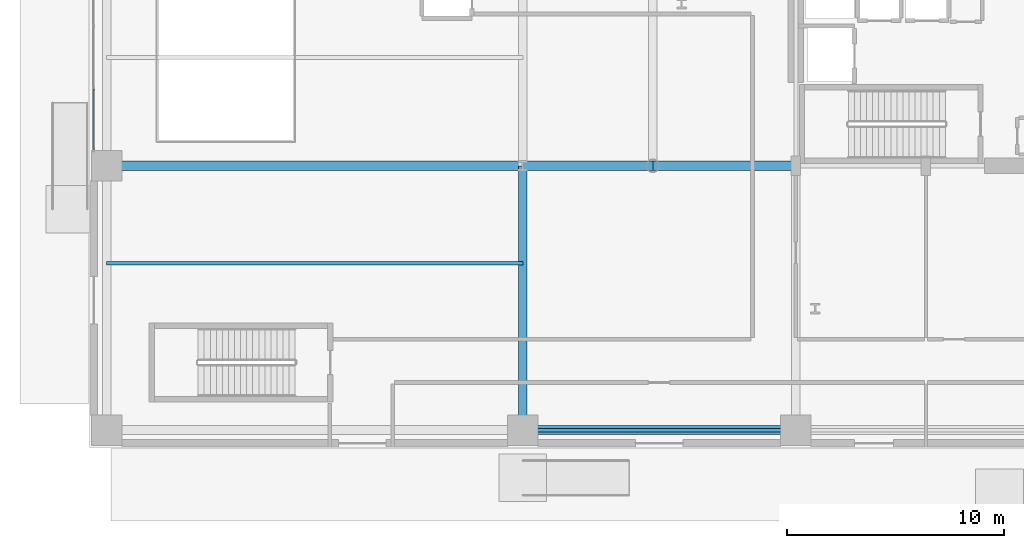
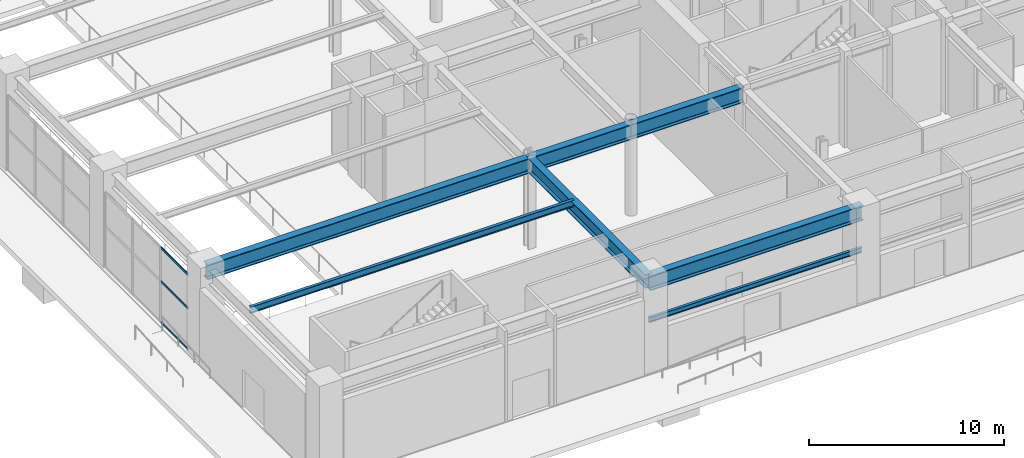
# One storey, part 6 of 31: 7 beams, 3 members, 1 element without a shape of its own.
"""IFC4 building model written with IfcOpenShell, lengths in metres."""

from ifc_helpers import new_model, si_unit, direction, frame, origin, origin_2d, place, context, subcontext, project, spatial, hollow_rectangle, i_section, extrude, material, layer, layer_set, material_profile, profile_set, type_object, element, aggregate, save


model = new_model("IFC4")

# Units and contexts
model_context = context("Model", 3, precision=1e-05, world=origin(), true_north=direction((0.0, 1.0)))
body_context = subcontext(model_context, "Body", "Model", "MODEL_VIEW")
ifc_project = project(units=[si_unit("LENGTHUNIT", "METRE"), si_unit("AREAUNIT", "SQUARE_METRE"), si_unit("VOLUMEUNIT", "CUBIC_METRE"), si_unit("PLANEANGLEUNIT", "RADIAN"), si_unit("MASSUNIT", "GRAM", prefix="KILO")], contexts=[model_context])

# Site, building, storey
site_placement = place(None, origin())
site = spatial("IfcSite", under=ifc_project, at=site_placement, CompositionType="ELEMENT")
building_placement = place(site_placement, origin())
building = spatial("IfcBuilding", under=site, at=building_placement, Name="Soratama Intermodal Tower", CompositionType="ELEMENT")
storey_placement = place(building_placement, origin())
storey = spatial("IfcBuildingStorey", under=building, at=storey_placement, Name="L00", CompositionType="ELEMENT", Elevation=0.0)

# Beams
ifc_material_1 = material(Name="Structural steel ASTM A992 Grade 50", Category="steel")
ifc_material_profile_1 = material_profile(ifc_material_1, i_section(OverallWidth=0.177978515625, OverallDepth=0.406982421875, WebThickness=0.0078125, FlangeThickness=0.0126953125, FilletRadius=0.010009765625, at=origin_2d()), Name="W16X40")
ifc_profile_set_1 = profile_set([ifc_material_profile_1], Name="Structural steel ASTM A992 Grade 50")
beam_type_1 = type_object("IfcBeamType", Name="BM-JST-W16X40", PredefinedType="JOIST", material=ifc_profile_set_1)
beam_1_placement = place(storey_placement, frame((0.800048828125, 10.5, 5.4765625), z_axis=(1.0, 0.0, 0.0), x_axis=(0.0, 1.0, 0.0)))
element("IfcBeam", 1, at=beam_1_placement, inside=storey, type_object=beam_type_1, Name="JST-L00-W1", PredefinedType="JOIST", context=body_context, shape_type="SweptSolid", body=[
    extrude(i_section(OverallWidth=0.177978515625, OverallDepth=0.406982421875, WebThickness=0.0078125, FlangeThickness=0.0126953125, FilletRadius=0.010009765625, at=origin_2d()), origin(), (0.0, 0.0, 1.0), 19.199951171875),
])
ifc_material_2 = material(Name="Structural steel ASTM A992 Grade 50", Category="steel")
ifc_material_profile_2 = material_profile(ifc_material_2, i_section(OverallWidth=0.1650390625, OverallDepth=0.31005859375, WebThickness=0.005859375, FlangeThickness=0.009765625, FilletRadius=0.008056640625, at=origin_2d()), Name="W12X26")
ifc_profile_set_2 = profile_set([ifc_material_profile_2], Name="Structural steel ASTM A992 Grade 50")
beam_type_2 = type_object("IfcBeamType", Name="BM-LNT-W12X26", PredefinedType="LINTEL", material=ifc_profile_set_2)
beam_2_placement = place(storey_placement, frame((20.0, 2.800048828125, 2.804931640625), z_axis=(1.0, 0.0, 0.0), x_axis=(0.0, 1.0, 0.0)))
element("IfcBeam", 2, at=beam_2_placement, inside=storey, type_object=beam_type_2, Name="L00 Facade Transom Lintel 1", PredefinedType="LINTEL", context=body_context, shape_type="SweptSolid", body=[
    extrude(i_section(OverallWidth=0.1650390625, OverallDepth=0.31005859375, WebThickness=0.005859375, FlangeThickness=0.009765625, FilletRadius=0.008056640625, at=origin_2d()), origin(), (0.0, 0.0, 1.0), 12.60009765625),
])
ifc_material_3 = material(Name="Structural steel ASTM A992 Grade 50", Category="steel")
ifc_material_profile_3 = material_profile(ifc_material_3, i_section(OverallWidth=0.423095703125, OverallDepth=0.93896484375, WebThickness=0.02392578125, FlangeThickness=0.042724609375, FilletRadius=0.02392578125, at=origin_2d()), Name="W36X302")
ifc_profile_set_3 = profile_set([ifc_material_profile_3], Name="Structural steel ASTM A992 Grade 50")
beam_type_3 = type_object("IfcBeamType", Name="BM-POD-EXT-W36", PredefinedType="BEAM", material=ifc_profile_set_3)
beam_3_placement = place(storey_placement, frame((20.0, 2.800048828125, 5.21044921875), z_axis=(1.0, 0.0, 0.0), x_axis=(0.0, 1.0, 0.0)))
element("IfcBeam", 3, at=beam_3_placement, inside=storey, type_object=beam_type_3, Name="L00 Station Girder X1-2", PredefinedType="BEAM", context=body_context, shape_type="SweptSolid", body=[
    extrude(i_section(OverallWidth=0.423095703125, OverallDepth=0.93896484375, WebThickness=0.02392578125, FlangeThickness=0.042724609375, FilletRadius=0.02392578125, at=origin_2d()), origin(), (0.0, 0.0, 1.0), 12.60009765625),
])
ifc_material_4 = material(Name="Structural steel ASTM A992 Grade 50", Category="steel")
ifc_material_profile_4 = material_profile(ifc_material_4, i_section(OverallWidth=0.403076171875, OverallDepth=0.867919921875, WebThickness=0.02099609375, FlangeThickness=0.03564453125, FilletRadius=0.01806640625, at=origin_2d()), Name="W33X241")
ifc_profile_set_4 = profile_set([ifc_material_profile_4], Name="Structural steel ASTM A992 Grade 50")
beam_type_4 = type_object("IfcBeamType", Name="BM-POD-W33X241", PredefinedType="BEAM", material=ifc_profile_set_4)
beam_4_placement = place(storey_placement, frame((20.0, 2.800048828125, 5.24609375), z_axis=(0.0, 1.0, 0.0), x_axis=(-1.0, 0.0, 0.0)))
element("IfcBeam", 4, at=beam_4_placement, inside=storey, type_object=beam_type_4, Name="L00 Station Girder Y2-1", PredefinedType="BEAM", context=body_context, shape_type="SweptSolid", body=[
    extrude(i_section(OverallWidth=0.403076171875, OverallDepth=0.867919921875, WebThickness=0.02099609375, FlangeThickness=0.03564453125, FilletRadius=0.01806640625, at=origin_2d()), origin(), (0.0, 0.0, 1.0), 12.199951171875),
])
ifc_material_5 = material(Name="Structural steel ASTM A992 Grade 50", Category="steel")
ifc_material_profile_5 = material_profile(ifc_material_5, i_section(OverallWidth=0.423095703125, OverallDepth=0.93896484375, WebThickness=0.02392578125, FlangeThickness=0.042724609375, FilletRadius=0.02392578125, at=origin_2d()), Name="W36X302")
ifc_profile_set_5 = profile_set([ifc_material_profile_5], Name="Structural steel ASTM A992 Grade 50")
beam_type_5 = type_object("IfcBeamType", Name="BM-POD-W36X302", PredefinedType="BEAM", material=ifc_profile_set_5)
beam_5_placement = place(storey_placement, frame((0.800048828125, 15.0, 5.21044921875), z_axis=(1.0, 0.0, 0.0), x_axis=(0.0, 1.0, 0.0)))
element("IfcBeam", 5, at=beam_5_placement, inside=storey, type_object=beam_type_5, Name="L00 Station Girder X2-1", PredefinedType="BEAM", context=body_context, shape_type="SweptSolid", body=[
    extrude(i_section(OverallWidth=0.423095703125, OverallDepth=0.93896484375, WebThickness=0.02392578125, FlangeThickness=0.042724609375, FilletRadius=0.02392578125, at=origin_2d()), origin(), (0.0, 0.0, 1.0), 19.199951171875),
])
beam_6_placement = place(storey_placement, frame((20.0, 15.0, 5.21044921875), z_axis=(1.0, 0.0, 0.0), x_axis=(0.0, 1.0, 0.0)))
element("IfcBeam", 6, at=beam_6_placement, inside=storey, type_object=beam_type_5, Name="L00 Station Girder X2-2", PredefinedType="BEAM", context=body_context, shape_type="SweptSolid", body=[
    extrude(i_section(OverallWidth=0.423095703125, OverallDepth=0.93896484375, WebThickness=0.02392578125, FlangeThickness=0.042724609375, FilletRadius=0.02392578125, at=origin_2d()), origin(), (0.0, 0.0, 1.0), 6.0),
])
beam_7_placement = place(storey_placement, frame((26.0, 15.0, 5.21044921875), z_axis=(1.0, 0.0, 0.0), x_axis=(0.0, 1.0, 0.0)))
element("IfcBeam", 7, at=beam_7_placement, inside=storey, type_object=beam_type_5, Name="L00 Station Girder X2-3", PredefinedType="BEAM", context=body_context, shape_type="SweptSolid", body=[
    extrude(i_section(OverallWidth=0.423095703125, OverallDepth=0.93896484375, WebThickness=0.02392578125, FlangeThickness=0.042724609375, FilletRadius=0.02392578125, at=origin_2d()), origin(), (0.0, 0.0, 1.0), 6.60009765625),
])

# Curtain wall, members
ifc_material_6 = material(Name="Double-glazed aluminium curtain wall", Category="aluminium")
ifc_layer = layer(ifc_material_6, 0.159912109375)
ifc_layer_set = layer_set([ifc_layer], Name="Double-glazed aluminium curtain wall")
curtain_wall_type = type_object("IfcCurtainWallType", Name="CW-SYS-1", PredefinedType="NOTDEFINED", material=ifc_layer_set)
curtain_wall_placement = place(storey_placement, origin())
curtain_wall = element("IfcCurtainWall", 8, at=curtain_wall_placement, inside=storey, type_object=curtain_wall_type, Name="L00 Station Curtain Wall W1", PredefinedType="NOTDEFINED")
ifc_material_7 = material(Name="Anodised aluminium AA 6063-T6", Category="aluminium")
ifc_material_profile_6 = material_profile(ifc_material_7, hollow_rectangle(XDim=0.06494140625, YDim=0.14990234375, WallThickness=0.0048828125, InnerFilletRadius=0.0048828125, OuterFilletRadius=0.010009765625, at=origin_2d()), Name="CWT150X65X5")
ifc_profile_set_6 = profile_set([ifc_material_profile_6], Name="Anodised aluminium AA 6063-T6")
member_type = type_object("IfcMemberType", Name="TT-CWT-1", PredefinedType="USERDEFINED", material=ifc_profile_set_6)
member_1_placement = place(storey_placement, frame((0.199951171875, 15.760009765625, 0.030029296875), z_axis=(0.0, 1.0, 0.0), x_axis=(-1.0, 0.0, 0.0)))
member_1 = element("IfcMember", 9, at=member_1_placement, type_object=member_type, Name="CW-1 transom 1.1", ObjectType="TRANSOM", PredefinedType="USERDEFINED", context=body_context, shape_type="SweptSolid", body=[
    extrude(hollow_rectangle(XDim=0.06494140625, YDim=0.14990234375, WallThickness=0.0048828125, InnerFilletRadius=0.0048828125, OuterFilletRadius=0.010009765625, at=origin_2d()), origin(), (0.0, 0.0, 1.0), 2.776611328125),
])
member_2_placement = place(storey_placement, frame((0.199951171875, 15.760009765625, 2.60009765625), z_axis=(0.0, 1.0, 0.0), x_axis=(-1.0, 0.0, 0.0)))
member_2 = element("IfcMember", 10, at=member_2_placement, type_object=member_type, Name="CW-1 transom 1.2", ObjectType="TRANSOM", PredefinedType="USERDEFINED", context=body_context, shape_type="SweptSolid", body=[
    extrude(hollow_rectangle(XDim=0.06494140625, YDim=0.14990234375, WallThickness=0.0048828125, InnerFilletRadius=0.0048828125, OuterFilletRadius=0.010009765625, at=origin_2d()), origin(), (0.0, 0.0, 1.0), 2.776611328125),
])
member_3_placement = place(storey_placement, frame((0.199951171875, 15.760009765625, 4.7060546875), z_axis=(0.0, 1.0, 0.0), x_axis=(-1.0, 0.0, 0.0)))
member_3 = element("IfcMember", 11, at=member_3_placement, type_object=member_type, Name="CW-1 transom 1.3", ObjectType="TRANSOM", PredefinedType="USERDEFINED", context=body_context, shape_type="SweptSolid", body=[
    extrude(hollow_rectangle(XDim=0.06494140625, YDim=0.14990234375, WallThickness=0.0048828125, InnerFilletRadius=0.0048828125, OuterFilletRadius=0.010009765625, at=origin_2d()), origin(), (0.0, 0.0, 1.0), 2.776611328125),
])
aggregate(curtain_wall, [member_1, member_2, member_3])

save(model, "model.ifc")
